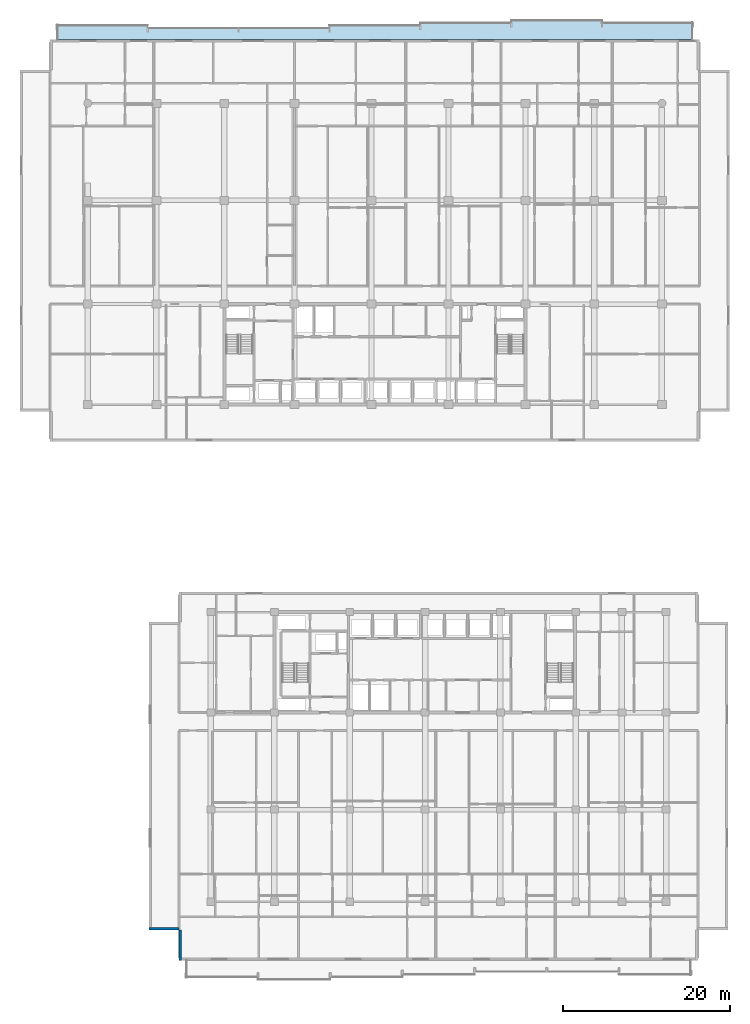
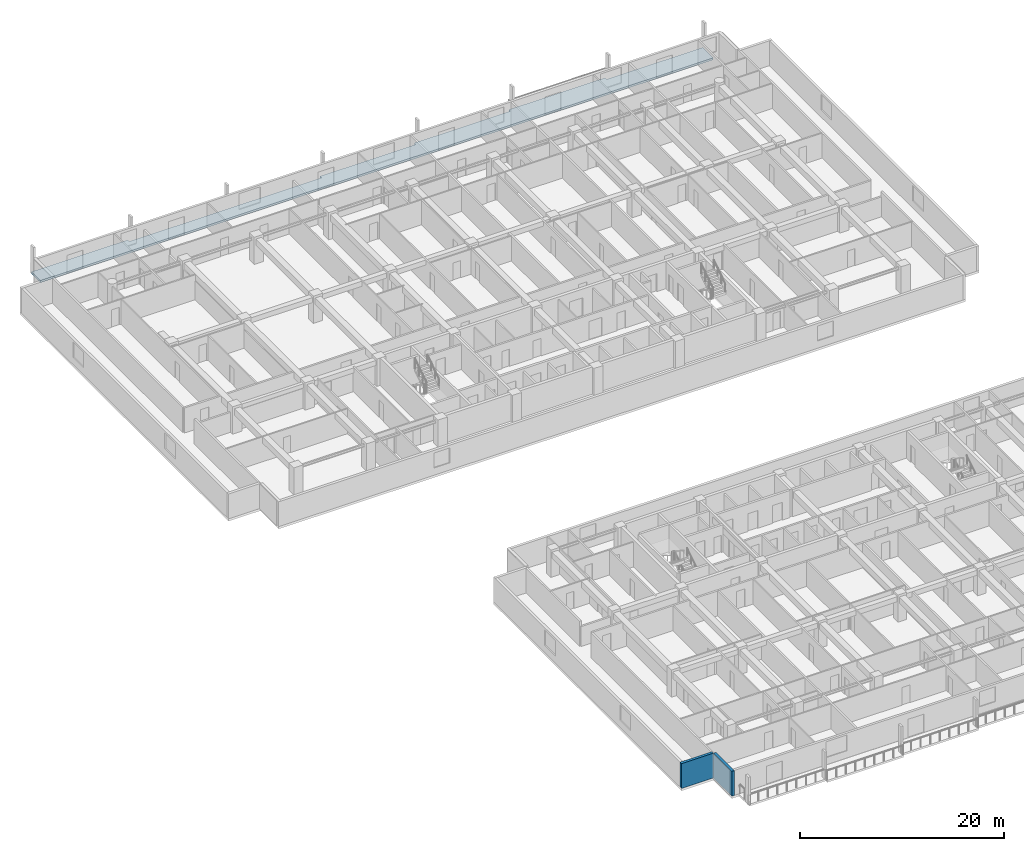
# One storey, part 3 of 23: 2 walls, 1 slab.
"""IFC4 building model written with IfcOpenShell, lengths in metres."""

from ifc_helpers import new_model, si_unit, direction, frame, frame_2d, origin, place, context, subcontext, project, spatial, polyline, rectangle, outline, extrude, material, layer, layer_set, type_object, element, save


model = new_model("IFC4")

# Units and contexts
model_context = context("Model", 3, precision=1e-05, world=origin(), true_north=direction((0.0, 1.0)))
body_context = subcontext(model_context, "Body", "Model", "MODEL_VIEW")
ifc_project = project(units=[si_unit("LENGTHUNIT", "METRE"), si_unit("AREAUNIT", "SQUARE_METRE"), si_unit("VOLUMEUNIT", "CUBIC_METRE"), si_unit("PLANEANGLEUNIT", "RADIAN"), si_unit("MASSUNIT", "GRAM", prefix="KILO")], contexts=[model_context])

# Site, building, storey
site_placement = place(None, origin())
site = spatial("IfcSite", under=ifc_project, at=site_placement, CompositionType="ELEMENT")
building_placement = place(site_placement, origin())
building = spatial("IfcBuilding", under=site, at=building_placement, Name="Korimba Cascade Residences", CompositionType="ELEMENT")
storey_placement = place(building_placement, frame((0.0, 0.0, 37.0)))
storey = spatial("IfcBuildingStorey", under=building, at=storey_placement, Name="L09", CompositionType="ELEMENT", Elevation=37.0)

# Slab
ifc_material = material(Name="Precast concrete C40/50", Category="concrete")
ifc_layer_1 = layer(ifc_material, 0.239990234375)
ifc_layer_set_1 = layer_set([ifc_layer_1], Name="Precast concrete C40/50")
slab_type = type_object("IfcSlabType", Name="SLB-LOG-240", PredefinedType="FLOOR", material=ifc_layer_set_1)
slab_placement = place(storey_placement, frame((0.0, 0.0, -0.239990234375)))
element("IfcSlab", 1, at=slab_placement, inside=storey, type_object=slab_type, Name="L09 Tower 1 North Loggia Slab", PredefinedType="FLOOR", context=body_context, shape_type="SweptSolid", body=[
    extrude(outline(polyline([(56.10009765625, 98.800048828125), (132.10009765625, 98.800048828125), (132.10009765625, 100.85009765625), (121.242919921875, 100.85009765625), (121.242919921875, 101.14990234375), (110.3857421875, 101.14990234375), (110.3857421875, 100.85009765625), (99.528564453125, 100.85009765625), (99.528564453125, 100.550048828125), (88.67138671875, 100.550048828125), (88.67138671875, 100.25), (66.95703125, 100.25), (66.95703125, 100.550048828125), (56.10009765625, 100.550048828125), (56.10009765625, 98.800048828125)])), origin(), (0.0, 0.0, 1.0), 0.239990234375),
])

# Walls
ifc_layer_2 = layer(ifc_material, 0.300048828125)
ifc_layer_set_2 = layer_set([ifc_layer_2], Name="Precast concrete C40/50")
wall_type = type_object("IfcWallType", Name="EW-STONE-300", PredefinedType="STANDARD", material=ifc_layer_set_2)
for number, where, z_axis, x_axis, name in (
    (2, (67.10009765625, -7.449951171875, 0.0), (0.0, 0.0, 1.0), (1.0, 0.0, 0.0), "L09 T2 Perimeter Stone Wall E10"),
    (3, (70.85009765625, -7.60009765625, 0.0), (0.0, 0.0, 1.0), (0.0, -1.0, 0.0), "L09 T2 Perimeter Stone Wall E11"),
):
    element("IfcWall", number, at=place(storey_placement, frame(where, z_axis=z_axis, x_axis=x_axis)), inside=storey, type_object=wall_type, Name=name, PredefinedType="STANDARD", context=body_context, shape_type="SweptSolid", body=[
        extrude(rectangle(XDim=3.599853515625, YDim=0.300048828125, at=frame_2d((1.7998046875, 0.0))), origin(), (0.0, 0.0, 1.0), 2.969970703125),
    ])

save(model, "model.ifc")
